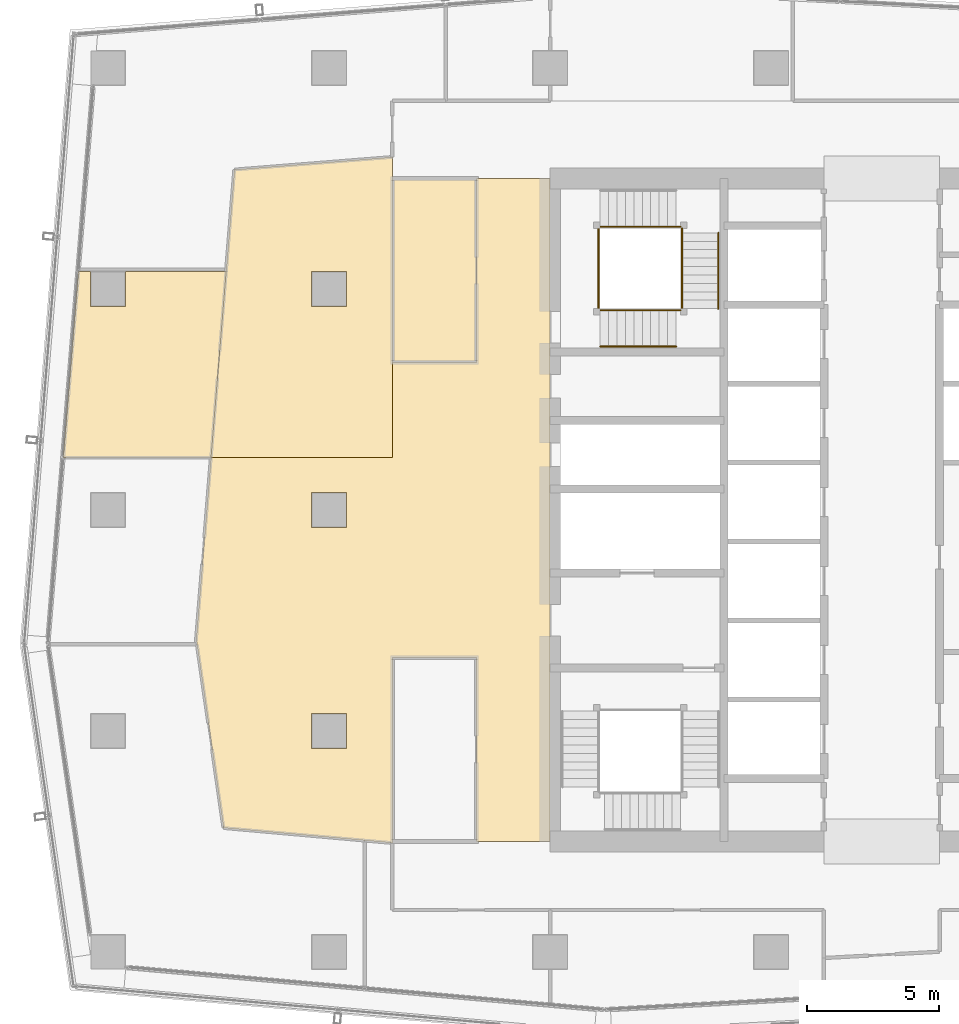
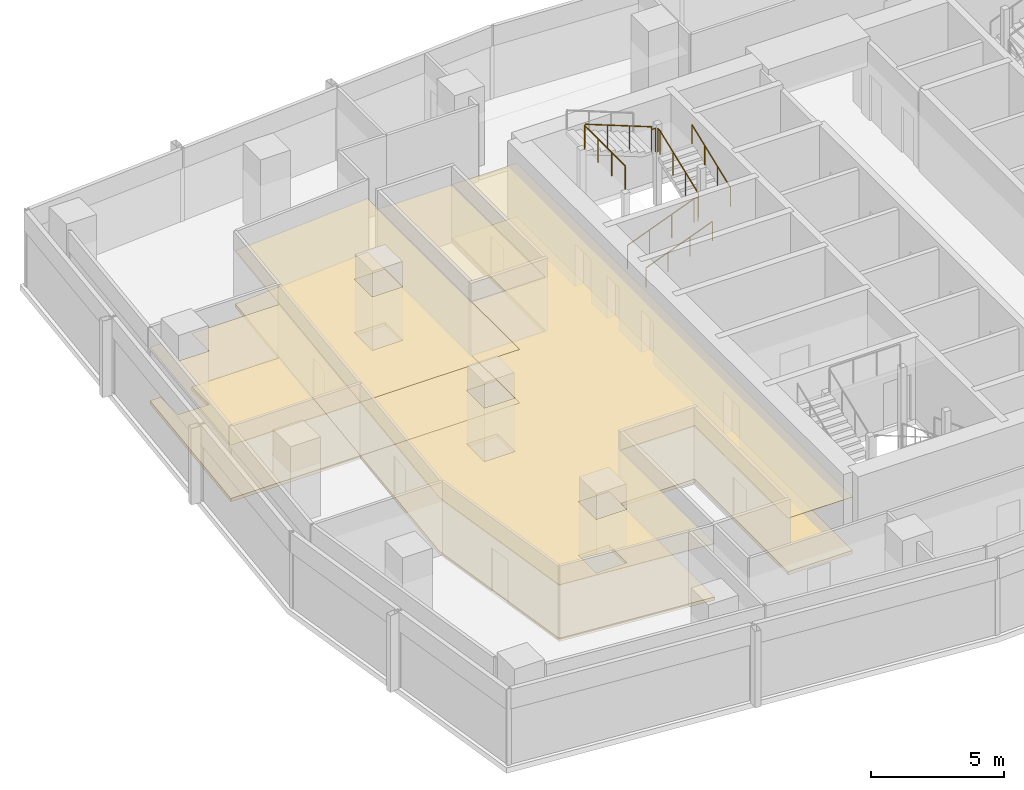
# One storey, part 27 of 29: 9 railings, 7 coverings.
"""IFC4 building model written with IfcOpenShell, lengths in metres."""

from ifc_helpers import new_model, si_unit, direction, frame, origin, origin_2d, place, context, subcontext, project, spatial, polyline, circle, outline, extrude, material, layer, layer_set, type_object, element, save


model = new_model("IFC4")

# Units and contexts
model_context = context("Model", 3, precision=1e-05, world=origin(), true_north=direction((0.0, 1.0)))
body_context = subcontext(model_context, "Body", "Model", "MODEL_VIEW")
ifc_project = project(units=[si_unit("LENGTHUNIT", "METRE"), si_unit("AREAUNIT", "SQUARE_METRE"), si_unit("VOLUMEUNIT", "CUBIC_METRE"), si_unit("PLANEANGLEUNIT", "RADIAN"), si_unit("MASSUNIT", "GRAM", prefix="KILO")], contexts=[model_context])

# Site, building, storey
site_placement = place(None, origin())
site = spatial("IfcSite", under=ifc_project, at=site_placement, CompositionType="ELEMENT")
building_placement = place(site_placement, origin())
building = spatial("IfcBuilding", under=site, at=building_placement, Name="Rekha Terrace Tower", CompositionType="ELEMENT")
storey_placement = place(building_placement, frame((0.0, 0.0, 280.10009765625)))
storey = spatial("IfcBuildingStorey", under=building, at=storey_placement, Name="L71", CompositionType="ELEMENT", Elevation=280.10009765625)

# Coverings
ifc_material_1 = material(Name="Mineral fibre tile in exposed grid", Category="finish")
ifc_layer_1 = layer(ifc_material_1, 0.02001953125)
ifc_layer_set_1 = layer_set([ifc_layer_1], Name="Mineral fibre tile in exposed grid")
covering_type_1 = type_object("IfcCoveringType", Name="CL1 600x1200 office grid ceiling", PredefinedType="CEILING", material=ifc_layer_set_1)
covering_1_placement = place(storey_placement, frame((0.0, 0.0, 2.579833984375)))
element("IfcCovering", 1, at=covering_1_placement, inside=storey, type_object=covering_type_1, Name="Ceiling L71-07", PredefinedType="CEILING", context=body_context, shape_type="SweptSolid", body=[
    extrude(outline(polyline([(7.735107421875, 42.656005859375), (7.26611328125, 42.656005859375), (6.69091796875, 35.590087890625), (12.30908203125, 35.590087890625), (12.884033203125, 42.656005859375), (9.06494140625, 42.656005859375), (9.06494140625, 41.3349609375), (7.735107421875, 41.3349609375), (7.735107421875, 42.656005859375)])), origin(), (0.0, 0.0, 1.0), 0.02001953125),
])
covering_2_placement = place(storey_placement, frame((0.0, 0.0, 2.579833984375)))
element("IfcCovering", 2, at=covering_2_placement, inside=storey, type_object=covering_type_1, Name="Ceiling L71-O1c", PredefinedType="CEILING", context=body_context, shape_type="SweptSolid", body=[
    extrude(outline(polyline([(13.198974609375, 46.530029296875), (12.884033203125, 42.656005859375), (12.30908203125, 35.590087890625), (19.199951171875, 35.590087890625), (19.199951171875, 47.008056640625), (13.198974609375, 46.530029296875)]), holes=[polyline([(17.465087890625, 41.3349609375), (16.135009765625, 41.3349609375), (16.135009765625, 42.6650390625), (17.465087890625, 42.6650390625), (17.465087890625, 41.3349609375)])]), origin(), (0.0, 0.0, 1.0), 0.02001953125),
])
covering_3_placement = place(storey_placement, frame((0.0, 0.0, 2.579833984375)))
element("IfcCovering", 3, at=covering_3_placement, inside=storey, type_object=covering_type_1, Name="Ceiling L71-O2", PredefinedType="CEILING", context=body_context, shape_type="SweptSolid", body=[
    extrude(outline(polyline([(11.7490234375, 28.698974609375), (11.779052734375, 28.491943359375), (12.787109375, 21.51806640625), (18.14990234375, 21.041015625), (19.199951171875, 20.947998046875), (19.199951171875, 28.0), (22.39990234375, 28.0), (22.39990234375, 21.0), (25.199951171875, 21.0), (25.199951171875, 46.199951171875), (22.39990234375, 46.199951171875), (22.39990234375, 39.199951171875), (19.199951171875, 39.199951171875), (19.199951171875, 35.590087890625), (12.30908203125, 35.590087890625), (11.7490234375, 28.698974609375)]), holes=[polyline([(17.465087890625, 25.864990234375), (17.465087890625, 24.534912109375), (16.135009765625, 24.534912109375), (16.135009765625, 25.864990234375), (17.465087890625, 25.864990234375)]), polyline([(17.465087890625, 34.264892578125), (17.465087890625, 32.93505859375), (16.135009765625, 32.93505859375), (16.135009765625, 34.264892578125), (17.465087890625, 34.264892578125)])]), origin(), (0.0, 0.0, 1.0), 0.02001953125),
])
ifc_material_2 = material(Name="Fibre cement board", Category="finish")
ifc_layer_2 = layer(ifc_material_2, 0.014892578125)
ifc_layer_set_2 = layer_set([ifc_layer_2], Name="Fibre cement board")
covering_type_2 = type_object("IfcCoveringType", Name="CL2 moisture-resistant board ceiling", PredefinedType="CEILING", material=ifc_layer_set_2)
covering_4_placement = place(storey_placement, frame((0.0, 0.0, 2.5849609375)))
element("IfcCovering", 4, at=covering_4_placement, inside=storey, type_object=covering_type_2, Name="Ceiling L71-WCF2", PredefinedType="CEILING", context=body_context, shape_type="SweptSolid", body=[
    extrude(outline(polyline([(22.39990234375, 46.199951171875), (19.199951171875, 46.199951171875), (19.199951171875, 39.199951171875), (22.39990234375, 39.199951171875), (22.39990234375, 46.199951171875)])), origin(), (0.0, 0.0, 1.0), 0.014892578125),
])

# Railings
ifc_material_3 = material(Name="Stainless steel balustrade", Category="steel")
railing_type_1 = type_object("IfcRailingType", Name="GR1 1100 stair guard", PredefinedType="GUARDRAIL", material=ifc_material_3)
railing_1_placement = place(storey_placement, frame((27.10009765625, 41.18994140625, 0.125)))
element("IfcRailing", 5, at=railing_1_placement, inside=storey, type_object=railing_type_1, Name="Guard ST4 L71 flight 1", PredefinedType="GUARDRAIL", context=body_context, shape_type="SweptSolid", body=[
    extrude(circle(Radius=0.02392578125, at=origin_2d()), frame((0.0, 0.0, 1.076171875), z_axis=(0.931452331594, 0.0, 0.363863372667), x_axis=(0.0, 1.0, 0.0)), (0.0, 0.0, 1.0), 3.091796875),
    extrude(circle(Radius=0.02099609375, at=origin_2d()), origin(), (0.0, 0.0, 1.0), 1.052001953125),
    extrude(circle(Radius=0.02099609375, at=origin_2d()), frame((0.9599609375, 0.0, 0.375)), (0.0, 0.0, 1.0), 1.052001953125),
    extrude(circle(Radius=0.02099609375, at=origin_2d()), frame((1.919921875, 0.0, 0.75)), (0.0, 0.0, 1.0), 1.052001953125),
    extrude(circle(Radius=0.02099609375, at=origin_2d()), frame((2.8798828125, 0.0, 1.125)), (0.0, 0.0, 1.0), 1.052001953125),
])
railing_2_placement = place(storey_placement, frame((30.2099609375, 41.25, 1.375)))
element("IfcRailing", 6, at=railing_2_placement, inside=storey, type_object=railing_type_1, Name="Guard ST4 L71 flight 2", PredefinedType="GUARDRAIL", context=body_context, shape_type="SweptSolid", body=[
    extrude(circle(Radius=0.02392578125, at=origin_2d()), frame((0.0, 0.0, 1.076171875), z_axis=(0.0, 0.931452331594, 0.363863372667), x_axis=(-1.0, 0.0, 0.0)), (0.0, 0.0, 1.0), 3.091796875),
    extrude(circle(Radius=0.02099609375, at=origin_2d()), origin(), (0.0, 0.0, 1.0), 1.052001953125),
    extrude(circle(Radius=0.02099609375, at=origin_2d()), frame((0.0, 0.9599609375, 0.375)), (0.0, 0.0, 1.0), 1.052001953125),
    extrude(circle(Radius=0.02099609375, at=origin_2d()), frame((0.0, 1.919921875, 0.75)), (0.0, 0.0, 1.0), 1.052001953125),
    extrude(circle(Radius=0.02099609375, at=origin_2d()), frame((0.0, 2.8798828125, 1.125)), (0.0, 0.0, 1.0), 1.052001953125),
])
railing_3_placement = place(storey_placement, frame((29.97998046875, 44.360107421875, 2.625)))
element("IfcRailing", 7, at=railing_3_placement, inside=storey, type_object=railing_type_1, Name="Guard ST4 L71 flight 3", PredefinedType="GUARDRAIL", context=body_context, shape_type="SweptSolid", body=[
    extrude(circle(Radius=0.02392578125, at=origin_2d()), frame((0.0, 0.0, 1.076171875), z_axis=(-0.931452331594, 0.0, 0.363863372667), x_axis=(0.0, -1.0, 0.0)), (0.0, 0.0, 1.0), 3.091796875),
    extrude(circle(Radius=0.02099609375, at=origin_2d()), origin(), (0.0, 0.0, 1.0), 1.052001953125),
    extrude(circle(Radius=0.02099609375, at=origin_2d()), frame((-0.9599609375, 0.0, 0.375)), (0.0, 0.0, 1.0), 1.052001953125),
    extrude(circle(Radius=0.02099609375, at=origin_2d()), frame((-1.919921875, 0.0, 0.75)), (0.0, 0.0, 1.0), 1.052001953125),
    extrude(circle(Radius=0.02099609375, at=origin_2d()), frame((-2.8798828125, 0.0, 1.125)), (0.0, 0.0, 1.0), 1.052001953125),
])
railing_4_placement = place(storey_placement, frame((29.97998046875, 41.18994140625, 1.25)))
element("IfcRailing", 8, at=railing_4_placement, inside=storey, type_object=railing_type_1, Name="Guard ST4 L71 landing 1", PredefinedType="GUARDRAIL", context=body_context, shape_type="SweptSolid", body=[
    extrude(circle(Radius=0.02392578125, at=origin_2d()), frame((0.0, 0.0, 1.076171875), z_axis=(1.0, 0.0, 0.0), x_axis=(0.0, 1.0, 0.0)), (0.0, 0.0, 1.0), 0.169921875),
    extrude(circle(Radius=0.02099609375, at=origin_2d()), origin(), (0.0, 0.0, 1.0), 1.052001953125),
    extrude(circle(Radius=0.02099609375, at=origin_2d()), frame((0.169921875, 0.0, 0.0)), (0.0, 0.0, 1.0), 1.052001953125),
])
railing_5_placement = place(storey_placement, frame((30.2099609375, 44.1298828125, 2.5)))
element("IfcRailing", 9, at=railing_5_placement, inside=storey, type_object=railing_type_1, Name="Guard ST4 L71 landing 2", PredefinedType="GUARDRAIL", context=body_context, shape_type="SweptSolid", body=[
    extrude(circle(Radius=0.02392578125, at=origin_2d()), frame((0.0, 0.0, 1.076171875), z_axis=(0.0, 1.0, 0.0), x_axis=(-1.0, 0.0, 0.0)), (0.0, 0.0, 1.0), 0.170166015625),
    extrude(circle(Radius=0.02099609375, at=origin_2d()), origin(), (0.0, 0.0, 1.0), 1.052001953125),
    extrude(circle(Radius=0.02099609375, at=origin_2d()), frame((0.0, 0.170166015625, 0.0)), (0.0, 0.0, 1.0), 1.052001953125),
])
railing_6_placement = place(storey_placement, frame((29.97998046875, 44.360107421875, 2.5)))
element("IfcRailing", 10, at=railing_6_placement, inside=storey, type_object=railing_type_1, Name="Guard ST4 L71 landing 3", PredefinedType="GUARDRAIL", context=body_context, shape_type="SweptSolid", body=[
    extrude(circle(Radius=0.02392578125, at=origin_2d()), frame((0.0, 0.0, 1.076171875), z_axis=(1.0, 0.0, 0.0), x_axis=(0.0, 1.0, 0.0)), (0.0, 0.0, 1.0), 0.169921875),
    extrude(circle(Radius=0.02099609375, at=origin_2d()), origin(), (0.0, 0.0, 1.0), 1.052001953125),
    extrude(circle(Radius=0.02099609375, at=origin_2d()), frame((0.169921875, 0.0, 0.0)), (0.0, 0.0, 1.0), 1.052001953125),
])
railing_7_placement = place(storey_placement, frame((27.0400390625, 41.25, 3.75)))
element("IfcRailing", 11, at=railing_7_placement, inside=storey, type_object=railing_type_1, Name="Guard ST4 L71 landing 4", PredefinedType="GUARDRAIL", context=body_context, shape_type="SweptSolid", body=[
    extrude(circle(Radius=0.02392578125, at=origin_2d()), frame((0.0, 0.0, 1.076171875), z_axis=(0.0, 1.0, 0.0), x_axis=(-1.0, 0.0, 0.0)), (0.0, 0.0, 1.0), 3.050048828125),
    extrude(circle(Radius=0.02099609375, at=origin_2d()), origin(), (0.0, 0.0, 1.0), 1.052001953125),
    extrude(circle(Radius=0.02099609375, at=origin_2d()), frame((0.0, 1.0166015625, 0.0)), (0.0, 0.0, 1.0), 1.052001953125),
    extrude(circle(Radius=0.02099609375, at=origin_2d()), frame((0.0, 2.033447265625, 0.0)), (0.0, 0.0, 1.0), 1.052001953125),
    extrude(circle(Radius=0.02099609375, at=origin_2d()), frame((0.0, 3.050048828125, 0.0)), (0.0, 0.0, 1.0), 1.052001953125),
])
ifc_material_4 = material(Name="Stainless steel tube", Category="steel")
railing_type_2 = type_object("IfcRailingType", Name="HR1 900 stair handrail", PredefinedType="HANDRAIL", material=ifc_material_4)
railing_8_placement = place(storey_placement, frame((27.10009765625, 39.81005859375, 0.125)))
element("IfcRailing", 12, at=railing_8_placement, inside=storey, type_object=railing_type_2, Name="Handrail ST4 L71 flight 1", PredefinedType="HANDRAIL", context=body_context, shape_type="SweptSolid", body=[
    extrude(circle(Radius=0.02392578125, at=origin_2d()), frame((0.0, 0.0, 0.8759765625), z_axis=(0.931452331594, 0.0, 0.363863372667), x_axis=(0.0, 1.0, 0.0)), (0.0, 0.0, 1.0), 3.091796875),
    extrude(circle(Radius=0.02099609375, at=origin_2d()), origin(), (0.0, 0.0, 1.0), 0.851806640625),
    extrude(circle(Radius=0.02099609375, at=origin_2d()), frame((0.9599609375, 0.0, 0.375)), (0.0, 0.0, 1.0), 0.851806640625),
    extrude(circle(Radius=0.02099609375, at=origin_2d()), frame((1.919921875, 0.0, 0.75)), (0.0, 0.0, 1.0), 0.851806640625),
    extrude(circle(Radius=0.02099609375, at=origin_2d()), frame((2.8798828125, 0.0, 1.125)), (0.0, 0.0, 1.0), 0.851806640625),
])
railing_9_placement = place(storey_placement, frame((31.590087890625, 41.25, 1.375)))
element("IfcRailing", 13, at=railing_9_placement, inside=storey, type_object=railing_type_2, Name="Handrail ST4 L71 flight 2", PredefinedType="HANDRAIL", context=body_context, shape_type="SweptSolid", body=[
    extrude(circle(Radius=0.02392578125, at=origin_2d()), frame((0.0, 0.0, 0.8759765625), z_axis=(0.0, 0.931452331594, 0.363863372667), x_axis=(-1.0, 0.0, 0.0)), (0.0, 0.0, 1.0), 3.091796875),
    extrude(circle(Radius=0.02099609375, at=origin_2d()), origin(), (0.0, 0.0, 1.0), 0.851806640625),
    extrude(circle(Radius=0.02099609375, at=origin_2d()), frame((0.0, 0.9599609375, 0.375)), (0.0, 0.0, 1.0), 0.851806640625),
    extrude(circle(Radius=0.02099609375, at=origin_2d()), frame((0.0, 1.919921875, 0.75)), (0.0, 0.0, 1.0), 0.851806640625),
    extrude(circle(Radius=0.02099609375, at=origin_2d()), frame((0.0, 2.8798828125, 1.125)), (0.0, 0.0, 1.0), 0.851806640625),
])

# Coverings
ifc_material_5 = material(Name="Calcium sulphate panels on steel pedestals", Category="steel")
ifc_layer_3 = layer(ifc_material_5, 0.14990234375)
ifc_layer_set_3 = layer_set([ifc_layer_3], Name="Calcium sulphate panels on steel pedestals")
covering_type_3 = type_object("IfcCoveringType", Name="RF1 150 raised access floor", PredefinedType="FLOORING", material=ifc_layer_set_3)
covering_5_placement = place(storey_placement, origin())
element("IfcCovering", 14, at=covering_5_placement, inside=storey, type_object=covering_type_3, Name="Raised floor L71-07", PredefinedType="FLOORING", context=body_context, shape_type="SweptSolid", body=[
    extrude(outline(polyline([(7.735107421875, 42.656005859375), (7.26611328125, 42.656005859375), (6.69091796875, 35.590087890625), (12.30908203125, 35.590087890625), (12.884033203125, 42.656005859375), (9.06494140625, 42.656005859375), (9.06494140625, 41.3349609375), (7.735107421875, 41.3349609375), (7.735107421875, 42.656005859375)])), origin(), (0.0, 0.0, 1.0), 0.14990234375),
])
covering_6_placement = place(storey_placement, origin())
element("IfcCovering", 15, at=covering_6_placement, inside=storey, type_object=covering_type_3, Name="Raised floor L71-O1c", PredefinedType="FLOORING", context=body_context, shape_type="SweptSolid", body=[
    extrude(outline(polyline([(13.198974609375, 46.530029296875), (12.884033203125, 42.656005859375), (12.30908203125, 35.590087890625), (19.199951171875, 35.590087890625), (19.199951171875, 47.008056640625), (13.198974609375, 46.530029296875)]), holes=[polyline([(17.465087890625, 41.3349609375), (16.135009765625, 41.3349609375), (16.135009765625, 42.6650390625), (17.465087890625, 42.6650390625), (17.465087890625, 41.3349609375)])]), origin(), (0.0, 0.0, 1.0), 0.14990234375),
])
covering_7_placement = place(storey_placement, origin())
element("IfcCovering", 16, at=covering_7_placement, inside=storey, type_object=covering_type_3, Name="Raised floor L71-O2", PredefinedType="FLOORING", context=body_context, shape_type="SweptSolid", body=[
    extrude(outline(polyline([(11.7490234375, 28.698974609375), (11.779052734375, 28.491943359375), (12.787109375, 21.51806640625), (18.14990234375, 21.041015625), (19.199951171875, 20.947998046875), (19.199951171875, 28.0), (22.39990234375, 28.0), (22.39990234375, 21.0), (25.199951171875, 21.0), (25.199951171875, 46.199951171875), (22.39990234375, 46.199951171875), (22.39990234375, 39.199951171875), (19.199951171875, 39.199951171875), (19.199951171875, 35.590087890625), (12.30908203125, 35.590087890625), (11.7490234375, 28.698974609375)]), holes=[polyline([(17.465087890625, 25.864990234375), (17.465087890625, 24.534912109375), (16.135009765625, 24.534912109375), (16.135009765625, 25.864990234375), (17.465087890625, 25.864990234375)]), polyline([(17.465087890625, 34.264892578125), (17.465087890625, 32.93505859375), (16.135009765625, 32.93505859375), (16.135009765625, 34.264892578125), (17.465087890625, 34.264892578125)])]), origin(), (0.0, 0.0, 1.0), 0.14990234375),
])

save(model, "model.ifc")
